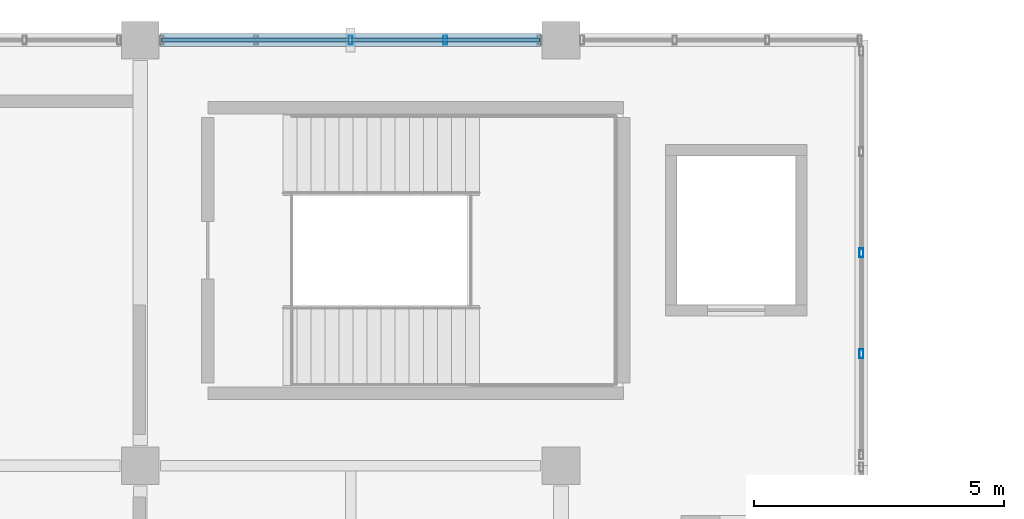
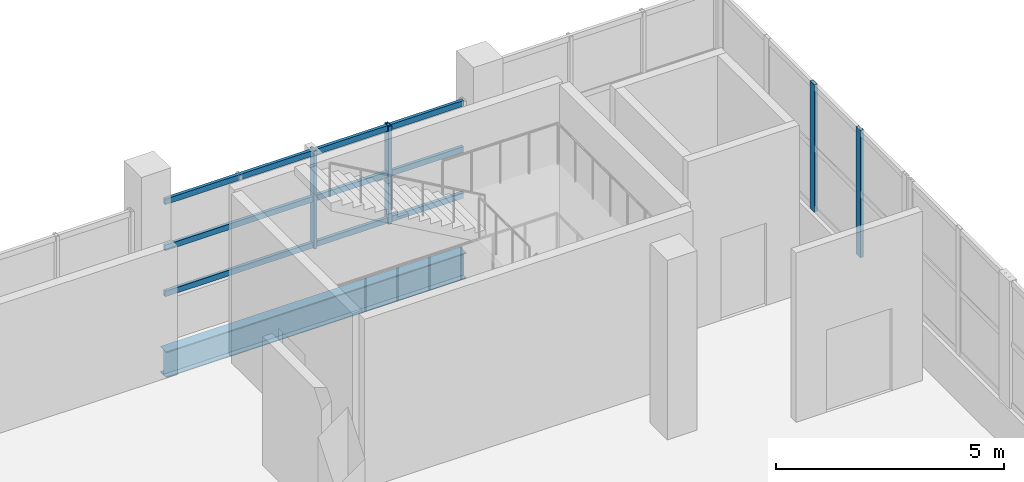
# One storey, part 81 of 117: 7 members, 1 beam, 2 elements without a shape of their own.
"""IFC4 building model written with IfcOpenShell, lengths in metres."""

import ifcopenshell
import ifcopenshell.guid

model = None  # the IFC model being written
_history = None  # IfcOwnerHistory: only IFC2X3 demands one
_inside = {}  # id of a spatial element -> (the spatial element, [elements in it])
_under = {}  # id of a project, library or spatial element -> (it, [spatial elements below it])
_declared = {}  # id of a project -> (the project, [libraries it declares])
_typed = {}  # id of a type object -> (the type object, [elements of that type])
_made_of = {}  # id of a material, layer set ... -> (it, [elements and type objects made of it])


def new_model(schema):
    """Start an empty IFC model of exactly this schema.

    Asked for "IFC4X3", IfcOpenShell would pick the latest addendum, in which some entities
    have other attributes; the version numbers below select the first issue.
    IFC2X3 requires an IfcOwnerHistory on every rooted entity: one is made here for all.
    """
    global model, _history
    if schema == "IFC4X3":
        model = ifcopenshell.file(schema_version=(4, 3, 0, 0))
    else:
        model = ifcopenshell.file(schema=schema)
    _inside.clear()
    _under.clear()
    _declared.clear()
    _typed.clear()
    _made_of.clear()
    _history = None
    if model.schema == "IFC2X3":
        org = make("IfcOrganization", Name="unknown")
        user = make(
            "IfcPersonAndOrganization",
            ThePerson=make("IfcPerson", FamilyName="unknown"),
            TheOrganization=org,
        )
        app = make(
            "IfcApplication",
            ApplicationDeveloper=org,
            Version="unknown",
            ApplicationFullName="unknown",
            ApplicationIdentifier="unknown",
        )
        _history = make(
            "IfcOwnerHistory",
            OwningUser=user,
            OwningApplication=app,
            ChangeAction="ADDED",
            CreationDate=0,
        )
    return model


def make(cls, **values):
    """One entity of the class cls with the attributes given. An attribute that is None is left unset."""
    return model.create_entity(
        cls, **{name: value for name, value in values.items() if value is not None}
    )


def rooted(cls, **values):
    """An entity with a GlobalId (a new one), such as an element, a storey or a relation."""
    return make(cls, GlobalId=ifcopenshell.guid.new(), OwnerHistory=_history, **values)


def si_unit(unit_type, name, prefix=None):
    """IfcSIUnit, for example si_unit("LENGTHUNIT", "METRE", prefix="MILLI")."""
    return make("IfcSIUnit", UnitType=unit_type, Prefix=prefix, Name=name)


def assignment(units):
    """IfcUnitAssignment: the units of a project."""
    return None if units is None else make("IfcUnitAssignment", Units=units)


def point(xyz):
    """IfcCartesianPoint."""
    return None if xyz is None else make("IfcCartesianPoint", Coordinates=xyz)


def direction(xyz):
    """IfcDirection."""
    return None if xyz is None else make("IfcDirection", DirectionRatios=xyz)


def frame(location, z_axis=None, x_axis=None):
    """IfcAxis2Placement3D, a coordinate frame: its origin and axes. An axis left out is left unset."""
    return make(
        "IfcAxis2Placement3D",
        Location=point(location),
        Axis=direction(z_axis),
        RefDirection=direction(x_axis),
    )


def frame_2d(location, x_axis=None):
    """IfcAxis2Placement2D, a coordinate frame in the plane: its origin and x axis."""
    return make(
        "IfcAxis2Placement2D", Location=point(location), RefDirection=direction(x_axis)
    )


def origin():
    """The frame at (0, 0, 0) with its axes left unset."""
    return frame((0.0, 0.0, 0.0))


def origin_2d():
    """The frame at (0, 0) in the plane with its x axis left unset."""
    return frame_2d((0.0, 0.0))


def place(relative_to, where):
    """IfcLocalPlacement: puts the frame where relative to a parent placement (None: the world)."""
    return make(
        "IfcLocalPlacement", PlacementRelTo=relative_to, RelativePlacement=where
    )


def context(
    kind, dimensions, precision=None, world=None, true_north=None, identifier=None
):
    """IfcGeometricRepresentationContext, for example the 3D "Model" context."""
    return make(
        "IfcGeometricRepresentationContext",
        ContextIdentifier=identifier,
        ContextType=kind,
        CoordinateSpaceDimension=dimensions,
        Precision=precision,
        WorldCoordinateSystem=world,
        TrueNorth=true_north,
    )


def subcontext(parent, identifier, kind, view, scale=None):
    """IfcGeometricRepresentationSubContext, for example "Body" below "Model"."""
    return make(
        "IfcGeometricRepresentationSubContext",
        ContextIdentifier=identifier,
        ContextType=kind,
        ParentContext=parent,
        TargetScale=scale,
        TargetView=view,
    )


def project(units=None, contexts=None):
    """IfcProject with its units and contexts."""
    return rooted(
        "IfcProject",
        Name="project",
        RepresentationContexts=contexts,
        UnitsInContext=assignment(units),
    )


def spatial(cls, under=None, at=None, **own):
    """A site, building, storey or space (cls), placed at a placement, below another one or the project."""
    s = rooted(cls, ObjectPlacement=at, **own)
    if under is not None:
        _under.setdefault(under.id(), (under, []))[1].append(s)
    return s


def profile(cls, at=None, kind="AREA", **sizes):
    """A parametric profile (cls). Its sizes go by their IFC names, for example OverallWidth=200.0."""
    return make(cls, ProfileType=kind, Position=at, **sizes)


def hollow_rectangle(**sizes):
    """IfcRectangleHollowProfileDef."""
    return profile("IfcRectangleHollowProfileDef", **sizes)


def i_section(**sizes):
    """IfcIShapeProfileDef."""
    return profile("IfcIShapeProfileDef", **sizes)


def extrude(swept, where, along, depth):
    """IfcExtrudedAreaSolid: the profile swept, set in the frame where, extruded along a direction by depth."""
    return make(
        "IfcExtrudedAreaSolid",
        SweptArea=swept,
        Position=where,
        ExtrudedDirection=direction(along),
        Depth=depth,
    )


def shape(context_of_items, identifier, shape_type, items):
    """IfcShapeRepresentation: the items that make up one representation, for example the "Body"."""
    return make(
        "IfcShapeRepresentation",
        ContextOfItems=context_of_items,
        RepresentationIdentifier=identifier,
        RepresentationType=shape_type,
        Items=items,
    )


def material(Name=None, Category=None):
    """IfcMaterial."""
    return make("IfcMaterial", Name=Name, Category=Category)


def material_profile(
    of_material, cross_section, Name=None, Category=None, Priority=None
):
    """IfcMaterialProfile: a cross section and its material."""
    return make(
        "IfcMaterialProfile",
        Name=Name,
        Material=of_material,
        Profile=cross_section,
        Priority=Priority,
        Category=Category,
    )


def profile_set(profiles, Name=None, composite=None):
    """IfcMaterialProfileSet."""
    return make(
        "IfcMaterialProfileSet",
        Name=Name,
        MaterialProfiles=profiles,
        CompositeProfile=composite,
    )


def made_of(thing, what):
    """Note that an element or type object is made of a material, layer set ...; save() writes the relation."""
    if what is not None:
        _made_of.setdefault(what.id(), (what, []))[1].append(thing)
    return thing


def type_object(cls, material=None, **own):
    """A type object (cls), such as IfcWallType, which elements share."""
    return made_of(rooted(cls, **own), material)


def element(
    cls,
    number,
    at=None,
    inside=None,
    cuts=None,
    type_object=None,
    material=None,
    context=None,
    identifier="Body",
    shape_type=None,
    held_by="IfcProductDefinitionShape",
    body=None,
    shapes=None,
    **own,
):
    """One element of the class cls, such as IfcWall. Its Tag is "e" and its number.

    at: its placement. inside: the storey or other place that contains it. cuts: it is an
    opening in that element (IfcRelVoidsElement). A single representation is given by context,
    identifier, shape_type and body (its items); several are given by shapes. held_by: the class
    of the entity that holds the representations. save() writes the other relations.
    """
    e = rooted(cls, Tag="e%d" % number, ObjectPlacement=at, **own)
    if body is not None:
        shapes = [shape(context, identifier, shape_type, body)]
    if shapes is not None:
        e.Representation = make(held_by, Representations=shapes)
    if inside is not None:
        _inside.setdefault(inside.id(), (inside, []))[1].append(e)
    if cuts is not None:
        rooted(
            "IfcRelVoidsElement", RelatingBuildingElement=cuts, RelatedOpeningElement=e
        )
    if type_object is not None:
        _typed.setdefault(type_object.id(), (type_object, []))[1].append(e)
    return made_of(e, material)


def aggregate(whole, parts):
    """IfcRelAggregates: a whole, such as a stair, and the parts it consists of."""
    return rooted("IfcRelAggregates", RelatingObject=whole, RelatedObjects=parts)


def save(model, path):
    """Write the relations noted so far, then the file.

    IfcRelAggregates (storeys below a building ...), IfcRelContainedInSpatialStructure (elements
    in a storey), IfcRelDefinesByType, IfcRelAssociatesMaterial and IfcRelDeclares: one each for
    every whole, place, type object, material and project.
    """
    for whole, parts in _under.values():
        aggregate(whole, parts)
    for where, things in _inside.values():
        rooted(
            "IfcRelContainedInSpatialStructure",
            RelatedElements=things,
            RelatingStructure=where,
        )
    for kind, things in _typed.values():
        rooted("IfcRelDefinesByType", RelatedObjects=things, RelatingType=kind)
    for what, things in _made_of.values():
        rooted("IfcRelAssociatesMaterial", RelatedObjects=things, RelatingMaterial=what)
    for by, libraries in _declared.values():
        rooted("IfcRelDeclares", RelatingContext=by, RelatedDefinitions=libraries)
    model.write(path)


model = new_model("IFC4")

# Units and contexts
model_context = context("Model", 3, precision=1e-05, world=origin(), true_north=direction((0.0, 1.0)))
body_context = subcontext(model_context, "Body", "Model", "MODEL_VIEW")
ifc_project = project(units=[si_unit("LENGTHUNIT", "METRE"), si_unit("AREAUNIT", "SQUARE_METRE"), si_unit("VOLUMEUNIT", "CUBIC_METRE"), si_unit("PLANEANGLEUNIT", "RADIAN"), si_unit("MASSUNIT", "GRAM", prefix="KILO")], contexts=[model_context])

# Site, building, storey
site_placement = place(None, origin())
site = spatial("IfcSite", under=ifc_project, at=site_placement, CompositionType="ELEMENT")
building_placement = place(site_placement, origin())
building = spatial("IfcBuilding", under=site, at=building_placement, Name="Solvento Point Concert Hall", CompositionType="ELEMENT")
storey_placement = place(building_placement, frame((0.0, 0.0, 5.39990234375)))
storey = spatial("IfcBuildingStorey", under=building, at=storey_placement, Name="L01", CompositionType="ELEMENT", Elevation=5.39990234375)

# Beam
ifc_material_1 = material(Name="Structural Steel ASTM A992 Grade 50", Category="steel")
ifc_material_profile_1 = material_profile(ifc_material_1, i_section(OverallWidth=0.256103515625, OverallDepth=0.693115234375, WebThickness=0.014404296875, FlangeThickness=0.023681640625, at=origin_2d()), Name="W27X114")
ifc_profile_set_1 = profile_set([ifc_material_profile_1], Name="Structural Steel ASTM A992 Grade 50")
beam_type = type_object("IfcBeamType", Name="Girder_W27X114", PredefinedType="USERDEFINED", material=ifc_profile_set_1)
beam_placement = place(storey_placement, frame((58.00390625, 136.0, -0.63037109375), z_axis=(1.0, 0.0, 0.0), x_axis=(0.0, 1.0, 0.0)))
element("IfcBeam", 1, at=beam_placement, inside=storey, type_object=beam_type, Name="Primary girder B-23 L01", ObjectType="GIRDER", PredefinedType="USERDEFINED", context=body_context, shape_type="SweptSolid", body=[
    extrude(i_section(OverallWidth=0.256103515625, OverallDepth=0.693115234375, WebThickness=0.014404296875, FlangeThickness=0.023681640625, at=origin_2d()), origin(), (0.0, 0.0, 1.0), 7.592041015625),
])

# Curtain wall, members
ifc_material_2 = material(Name="Anodized Bronze Aluminium", Category="aluminium")
curtain_wall_type = type_object("IfcCurtainWallType", Name="CurtainWall_CourtPilotis", PredefinedType="USERDEFINED", material=ifc_material_2)
curtain_wall_1_placement = place(storey_placement, origin())
curtain_wall_1 = element("IfcCurtainWall", 2, at=curtain_wall_1_placement, inside=storey, type_object=curtain_wall_type, Name="Unitised curtain wall CW-96 UCW-L01-130", ObjectType="UNITISED CURTAIN WALL", PredefinedType="USERDEFINED")
ifc_material_3 = material(Name="Anodized Bronze Aluminium", Category="aluminium")
ifc_material_profile_2 = material_profile(ifc_material_3, hollow_rectangle(XDim=0.080078125, YDim=0.179931640625, WallThickness=0.00390625, at=origin_2d()), Name="CW-MUL-80X180")
ifc_profile_set_2 = profile_set([ifc_material_profile_2], Name="Anodized Bronze Aluminium")
member_type_1 = type_object("IfcMemberType", Name="Mullion_80x180", PredefinedType="MULLION", material=ifc_profile_set_2)
member_1_placement = place(storey_placement, frame((61.800048828125, 136.0, 1.1201171875), z_axis=(0.0, 0.0, 1.0), x_axis=(1.0, 0.0, 0.0)))
member_1 = element("IfcMember", 3, at=member_1_placement, type_object=member_type_1, Name="Curtain wall mullion ML-01", PredefinedType="MULLION", context=body_context, shape_type="SweptSolid", body=[
    extrude(hollow_rectangle(XDim=0.080078125, YDim=0.179931640625, WallThickness=0.00390625, at=origin_2d()), origin(), (0.0, 0.0, 1.0), 2.6240234375),
])
member_2_placement = place(storey_placement, frame((63.6875, 136.0, 1.1201171875), z_axis=(0.0, 0.0, 1.0), x_axis=(1.0, 0.0, 0.0)))
member_2 = element("IfcMember", 4, at=member_2_placement, type_object=member_type_1, Name="Curtain wall mullion ML-01", PredefinedType="MULLION", context=body_context, shape_type="SweptSolid", body=[
    extrude(hollow_rectangle(XDim=0.080078125, YDim=0.179931640625, WallThickness=0.00390625, at=origin_2d()), origin(), (0.0, 0.0, 1.0), 2.6240234375),
])

curtain_wall_2_placement = place(storey_placement, origin())
curtain_wall_2 = element("IfcCurtainWall", 5, at=curtain_wall_2_placement, inside=storey, type_object=curtain_wall_type, Name="Unitised curtain wall CW-96 UCW-L01-133", ObjectType="UNITISED CURTAIN WALL", PredefinedType="USERDEFINED")
member_3_placement = place(storey_placement, frame((72.0, 129.735107421875, 1.1201171875), z_axis=(0.0, 0.0, 1.0), x_axis=(1.0, 0.0, 0.0)))
member_3 = element("IfcMember", 6, at=member_3_placement, type_object=member_type_1, Name="Curtain wall mullion ML-01", PredefinedType="MULLION", context=body_context, shape_type="SweptSolid", body=[
    extrude(hollow_rectangle(XDim=0.080078125, YDim=0.179931640625, WallThickness=0.00390625, at=origin_2d()), origin(), (0.0, 0.0, 1.0), 3.409912109375),
])
member_4_placement = place(storey_placement, frame((72.0, 131.75, 1.1201171875), z_axis=(0.0, 0.0, 1.0), x_axis=(1.0, 0.0, 0.0)))
member_4 = element("IfcMember", 7, at=member_4_placement, type_object=member_type_1, Name="Curtain wall mullion ML-01", PredefinedType="MULLION", context=body_context, shape_type="SweptSolid", body=[
    extrude(hollow_rectangle(XDim=0.080078125, YDim=0.179931640625, WallThickness=0.00390625, at=origin_2d()), origin(), (0.0, 0.0, 1.0), 3.409912109375),
])
aggregate(curtain_wall_2, [member_3, member_4])

# Member
ifc_material_4 = material(Name="Anodized Bronze Aluminium", Category="aluminium")
ifc_material_profile_3 = material_profile(ifc_material_4, hollow_rectangle(XDim=0.080078125, YDim=0.14990234375, WallThickness=0.00390625, at=origin_2d()), Name="CW-TRN-80X150")
ifc_profile_set_3 = profile_set([ifc_material_profile_3], Name="Anodized Bronze Aluminium")
member_type_2 = type_object("IfcMemberType", Name="Transom_80x150", PredefinedType="USERDEFINED", material=ifc_profile_set_3)
member_5_placement = place(storey_placement, frame((58.02490234375, 136.0, 1.2001953125), z_axis=(1.0, 0.0, 0.0), x_axis=(0.0, 1.0, 0.0)))
member_5 = element("IfcMember", 8, at=member_5_placement, type_object=member_type_2, Name="Curtain wall transom TR-01", ObjectType="TRANSOM", PredefinedType="USERDEFINED", context=body_context, shape_type="SweptSolid", body=[
    extrude(hollow_rectangle(XDim=0.080078125, YDim=0.14990234375, WallThickness=0.00390625, at=origin_2d()), origin(), (0.0, 0.0, 1.0), 7.550048828125),
])

member_6_placement = place(storey_placement, frame((58.02490234375, 136.0, 2.43212890625), z_axis=(1.0, 0.0, 0.0), x_axis=(0.0, 1.0, 0.0)))
member_6 = element("IfcMember", 9, at=member_6_placement, type_object=member_type_2, Name="Curtain wall transom TR-01", ObjectType="TRANSOM", PredefinedType="USERDEFINED", context=body_context, shape_type="SweptSolid", body=[
    extrude(hollow_rectangle(XDim=0.080078125, YDim=0.14990234375, WallThickness=0.00390625, at=origin_2d()), origin(), (0.0, 0.0, 1.0), 7.550048828125),
])

member_7_placement = place(storey_placement, frame((58.02490234375, 136.0, 3.6640625), z_axis=(1.0, 0.0, 0.0), x_axis=(0.0, 1.0, 0.0)))
member_7 = element("IfcMember", 10, at=member_7_placement, type_object=member_type_2, Name="Curtain wall transom TR-01", ObjectType="TRANSOM", PredefinedType="USERDEFINED", context=body_context, shape_type="SweptSolid", body=[
    extrude(hollow_rectangle(XDim=0.080078125, YDim=0.14990234375, WallThickness=0.00390625, at=origin_2d()), origin(), (0.0, 0.0, 1.0), 7.550048828125),
])

aggregate(curtain_wall_1, [member_1, member_2, member_5, member_6, member_7])

save(model, "model.ifc")
